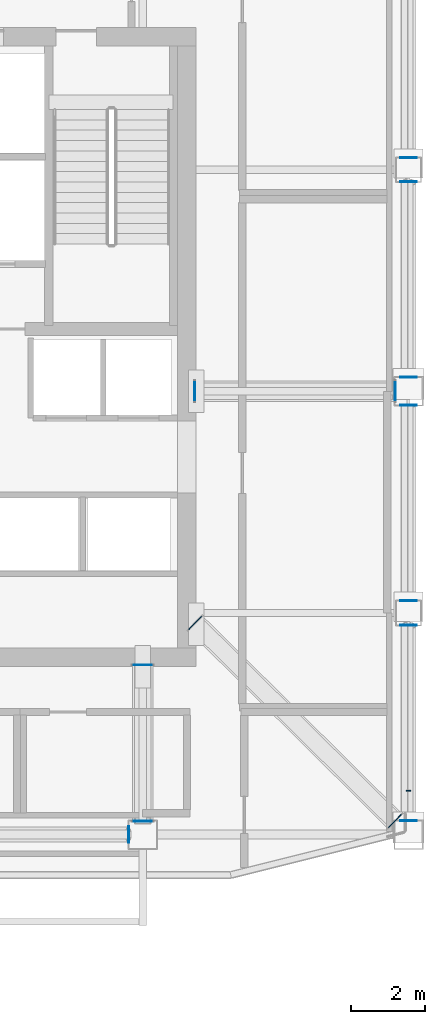
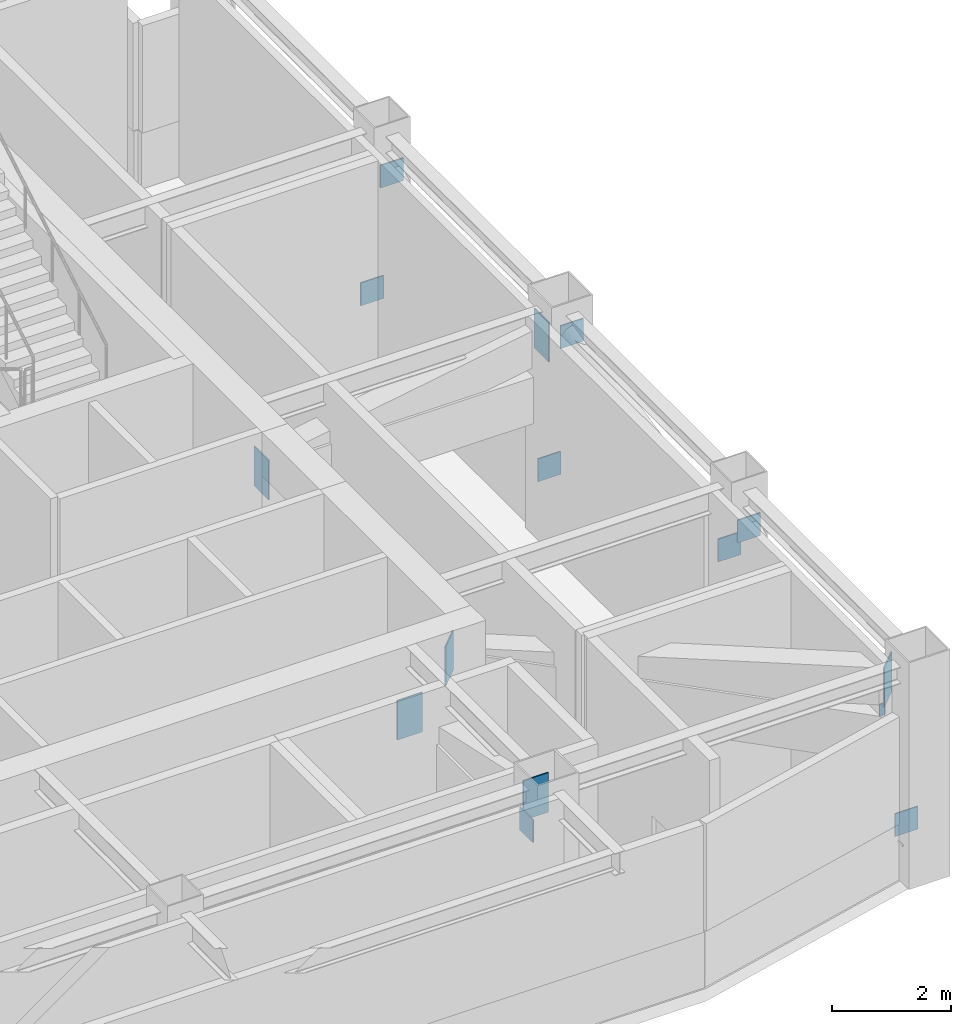
# One storey, part 8 of 15: 15 plates.
"""IFC4 building model written with IfcOpenShell, lengths in metres."""

from ifc_helpers import new_model, si_unit, direction, frame, origin, origin_2d, place, context, subcontext, project, spatial, rectangle, extrude, material, layer, layer_set, type_object, element, save


model = new_model("IFC4")

# Units and contexts
model_context = context("Model", 3, precision=1e-05, world=origin(), true_north=direction((0.0, 1.0)))
body_context = subcontext(model_context, "Body", "Model", "MODEL_VIEW")
ifc_project = project(units=[si_unit("LENGTHUNIT", "METRE"), si_unit("AREAUNIT", "SQUARE_METRE"), si_unit("VOLUMEUNIT", "CUBIC_METRE"), si_unit("PLANEANGLEUNIT", "RADIAN"), si_unit("MASSUNIT", "GRAM", prefix="KILO")], contexts=[model_context])

# Site, building, storey
site_placement = place(None, origin())
site = spatial("IfcSite", under=ifc_project, at=site_placement, CompositionType="ELEMENT")
building_placement = place(site_placement, origin())
building = spatial("IfcBuilding", under=site, at=building_placement, Name="Haolan Belvedere Tower", CompositionType="ELEMENT")
storey_placement = place(building_placement, frame((0.0, 0.0, 277.550048828125)))
storey = spatial("IfcBuildingStorey", under=building, at=storey_placement, Name="L70", CompositionType="ELEMENT", Elevation=277.550048828125)

# Plates
ifc_material = material(Name="Steel Q355B", Category="steel")
ifc_layer = layer(ifc_material, 0.02490234375, Name="Steel Q355B")
ifc_layer_set = layer_set([ifc_layer], Name="Steel Q355B")
plate_type = type_object("IfcPlateType", Name="PL-CAP-25", PredefinedType="SHEET", material=ifc_layer_set)
for number, where, z_axis, x_axis, name in (
    (1, (47.007568359375, 33.60009765625, 2.512939453125), (0.0, 0.0, 1.0), (0.0, -1.0, 0.0), "Hollow steel end-cap plate OR-E1-L70-DG-CAP0"),
    (2, (52.4423828125, 33.60009765625, 3.43701171875), (0.0, 0.0, 1.0), (0.0, 1.0, 0.0), "Hollow steel end-cap plate OR-E1-L70-DG-CAP1"),
    (3, (47.019775390625, 27.329833984375, 2.513427734375), (0.0, 0.0, 1.0), (-0.704014724456, -0.710185375623, 0.0), "Hollow steel end-cap plate OR-E2-L70-DG-CAP0"),
    (4, (52.43017578125, 21.966552734375, 3.4365234375), (0.0, 0.0, 1.0), (0.704014724456, 0.710185375623, 0.0), "Hollow steel end-cap plate OR-E2-L70-DG-CAP1"),
    (5, (45.60009765625, 26.192138671875, 2.51220703125), (0.0, 0.0, 1.0), (-1.0, 0.0, 0.0), "Hollow steel end-cap plate OR-S2-L70-DG-CAP0"),
    (6, (45.60009765625, 21.957763671875, 3.4375), (0.0, 0.0, 1.0), (1.0, 0.0, 0.0), "Hollow steel end-cap plate OR-S2-L70-DG-CAP1"),
):
    element("IfcPlate", number, at=place(storey_placement, frame(where, z_axis=z_axis, x_axis=x_axis)), inside=storey, type_object=plate_type, Name=name, PredefinedType="SHEET", context=body_context, shape_type="SweptSolid", body=[
        extrude(rectangle(XDim=0.489990234375, YDim=0.02490234375, at=origin_2d()), origin(), (0.0, 0.0, 1.0), 0.81005859375),
    ])
for number, where, z_axis, x_axis, name in (
    (7, (52.800048828125, 21.97900390625, 0.56103515625), (0.0, 0.0, 1.0), (1.0, 0.0, 0.0), "Hollow steel end-cap plate BT-E1-L70-CAP0"),
    (8, (52.800048828125, 27.27099609375, 3.37255859375), (0.0, 0.0, 1.0), (-1.0, 0.0, 0.0), "Hollow steel end-cap plate BT-E1-L70-CAP1"),
    (9, (52.800048828125, 27.927734375, 2.58447265625), (0.0, 0.0, 1.0), (1.0, 0.0, 0.0), "Hollow steel end-cap plate BT-E2-L70-CAP0"),
    (10, (52.800048828125, 33.22216796875, 3.74951171875), (0.0, 0.0, 1.0), (-1.0, 0.0, 0.0), "Hollow steel end-cap plate BT-E2-L70-CAP1"),
    (11, (52.800048828125, 33.97900390625, 0.56103515625), (0.0, 0.0, 1.0), (1.0, 0.0, 0.0), "Hollow steel end-cap plate BT-E3-L70-CAP0"),
    (12, (52.800048828125, 39.27099609375, 3.37255859375), (0.0, 0.0, 1.0), (-1.0, 0.0, 0.0), "Hollow steel end-cap plate BT-E3-L70-CAP1"),
    (13, (52.800048828125, 39.928955078125, 0.56103515625), (0.0, 0.0, 1.0), (1.0, 0.0, 0.0), "Hollow steel end-cap plate BT-E4-L70-CAP0"),
    (14, (45.221435546875, 21.60009765625, 3.3720703125), (0.0, 0.0, 1.0), (0.0, 1.0, 0.0), "Hollow steel end-cap plate BT-S2-L70-CAP1"),
):
    element("IfcPlate", number, at=place(storey_placement, frame(where, z_axis=z_axis, x_axis=x_axis)), inside=storey, type_object=plate_type, Name=name, PredefinedType="SHEET", context=body_context, shape_type="SweptSolid", body=[
        extrude(rectangle(XDim=0.446044921875, YDim=0.02490234375, at=origin_2d()), origin(), (0.0, 0.0, 1.0), 0.466064453125),
    ])
plate_placement = place(storey_placement, frame((52.800048828125, 22.78759765625, 2.47998046875), z_axis=(0.0, 0.0, 1.0), x_axis=(1.0, 0.0, 0.0)))
element("IfcPlate", 15, at=plate_placement, inside=storey, type_object=plate_type, Name="Hollow steel end-cap plate GIRT-L70-GE-CAP0", PredefinedType="SHEET", context=body_context, shape_type="SweptSolid", body=[
    extrude(rectangle(XDim=0.1201171875, YDim=0.02490234375, at=origin_2d()), origin(), (0.0, 0.0, 1.0), 0.239990234375),
])

save(model, "model.ifc")
